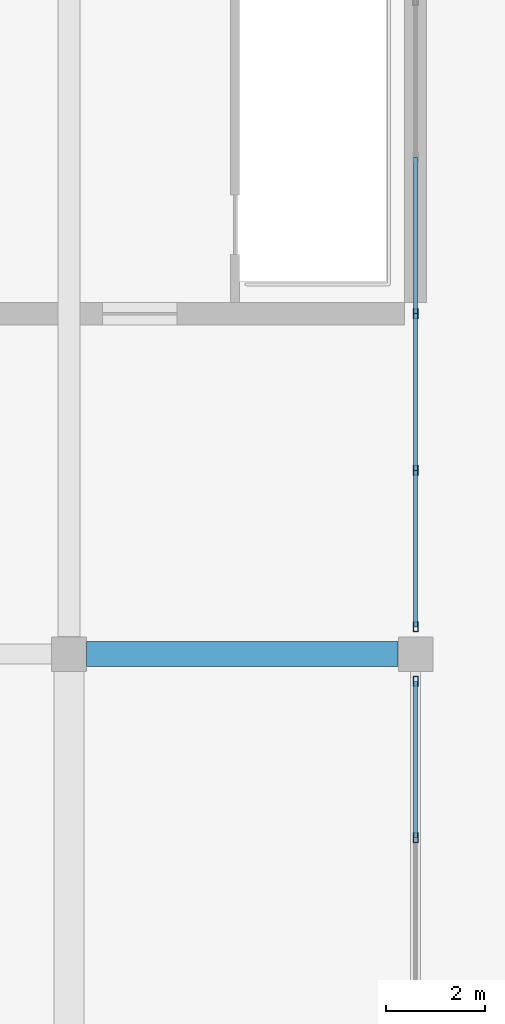
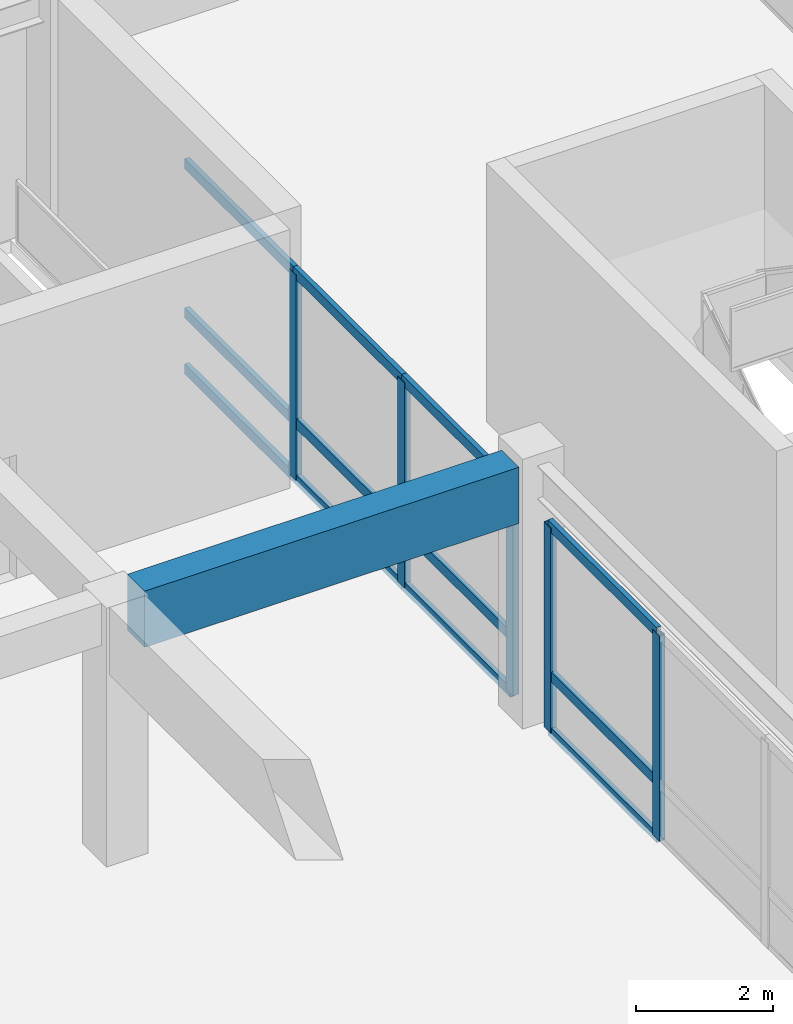
# One storey, part 41 of 94: 17 members, 1 beam, 2 elements without a shape of their own.
"""IFC4 building model written with IfcOpenShell, lengths in metres."""

from ifc_helpers import new_model, si_unit, direction, frame, origin, origin_2d, place, context, subcontext, project, spatial, rectangle, hollow_rectangle, extrude, material, material_profile, profile_set, type_object, element, aggregate, save


model = new_model("IFC4")

# Units and contexts
model_context = context("Model", 3, precision=1e-05, world=origin(), true_north=direction((0.0, 1.0)))
body_context = subcontext(model_context, "Body", "Model", "MODEL_VIEW")
ifc_project = project(units=[si_unit("LENGTHUNIT", "METRE"), si_unit("AREAUNIT", "SQUARE_METRE"), si_unit("VOLUMEUNIT", "CUBIC_METRE"), si_unit("PLANEANGLEUNIT", "RADIAN"), si_unit("MASSUNIT", "GRAM", prefix="KILO")], contexts=[model_context])

# Site, building, storey
site_placement = place(None, origin())
site = spatial("IfcSite", under=ifc_project, at=site_placement, CompositionType="ELEMENT")
building_placement = place(site_placement, origin())
building = spatial("IfcBuilding", under=site, at=building_placement, Name="Linyun Crest Stadium", CompositionType="ELEMENT")
storey_placement = place(building_placement, frame((0.0, 0.0, 16.199951171875)))
storey = spatial("IfcBuildingStorey", under=building, at=storey_placement, Name="L04", CompositionType="ELEMENT", Elevation=16.199951171875)

# Beam
ifc_material_1 = material(Name="Concrete C40", Category="concrete")
ifc_material_profile_1 = material_profile(ifc_material_1, rectangle(XDim=0.5, YDim=1.0, at=origin_2d()), Name="RCB 1000x500")
ifc_profile_set_1 = profile_set([ifc_material_profile_1], Name="Concrete C40")
beam_type = type_object("IfcBeamType", Name="B05", PredefinedType="BEAM", material=ifc_profile_set_1)
beam_placement = place(storey_placement, frame((77.35009765625, 29.625, 4.10009765625), z_axis=(1.0, 0.0, 0.0), x_axis=(0.0, 1.0, 0.0)))
element("IfcBeam", 1, at=beam_placement, inside=storey, type_object=beam_type, Name="Frame beam B05 L04 695", PredefinedType="BEAM", context=body_context, shape_type="SweptSolid", body=[
    extrude(rectangle(XDim=0.5, YDim=1.0, at=origin_2d()), origin(), (0.0, 0.0, 1.0), 6.2998046875),
])

# Curtain wall, members
ifc_material_2 = material(Name="Verdigris steel and low-E curtain wall assembly", Category="steel")
curtain_wall_type = type_object("IfcCurtainWallType", Name="MCW06", PredefinedType="NOTDEFINED", material=ifc_material_2)
curtain_wall_1_placement = place(storey_placement, origin())
curtain_wall_1 = element("IfcCurtainWall", 2, at=curtain_wall_1_placement, inside=storey, type_object=curtain_wall_type, Name="CWR-116", PredefinedType="NOTDEFINED")
ifc_material_3 = material(Name="Verdigris painted steel Q355C mullion", Category="steel")
ifc_material_profile_2 = material_profile(ifc_material_3, hollow_rectangle(XDim=0.10009765625, YDim=0.199951171875, WallThickness=0.008056640625, at=origin_2d()), Name="RHS 200x100x8")
ifc_profile_set_2 = profile_set([ifc_material_profile_2], Name="Verdigris painted steel Q355C mullion")
member_type_1 = type_object("IfcMemberType", Name="ML03", PredefinedType="MULLION", material=ifc_profile_set_2)
member_1_placement = place(storey_placement, frame((84.0, 25.912109375, 0.0), z_axis=(0.0, 0.0, 1.0), x_axis=(-1.0, 0.0, 0.0)))
member_1 = element("IfcMember", 3, at=member_1_placement, type_object=member_type_1, Name="CWR-116 mullion 4", PredefinedType="MULLION", context=body_context, shape_type="SweptSolid", body=[
    extrude(hollow_rectangle(XDim=0.10009765625, YDim=0.199951171875, WallThickness=0.008056640625, at=origin_2d()), origin(), (0.0, 0.0, 1.0), 3.650146484375),
])
member_2_placement = place(storey_placement, frame((84.0, 29.074951171875, 0.0), z_axis=(0.0, 0.0, 1.0), x_axis=(-1.0, 0.0, 0.0)))
member_2 = element("IfcMember", 4, at=member_2_placement, type_object=member_type_1, Name="CWR-116 mullion 5", PredefinedType="MULLION", context=body_context, shape_type="SweptSolid", body=[
    extrude(hollow_rectangle(XDim=0.10009765625, YDim=0.199951171875, WallThickness=0.008056640625, at=origin_2d()), origin(), (0.0, 0.0, 1.0), 3.650146484375),
])

curtain_wall_2_placement = place(storey_placement, origin())
curtain_wall_2 = element("IfcCurtainWall", 5, at=curtain_wall_2_placement, inside=storey, type_object=curtain_wall_type, Name="CWR-125", PredefinedType="NOTDEFINED")
member_3_placement = place(storey_placement, frame((84.0, 30.175048828125, 0.0), z_axis=(0.0, 0.0, 1.0), x_axis=(-1.0, 0.0, 0.0)))
member_3 = element("IfcMember", 6, at=member_3_placement, type_object=member_type_1, Name="CWR-125 mullion 1", PredefinedType="MULLION", context=body_context, shape_type="SweptSolid", body=[
    extrude(hollow_rectangle(XDim=0.10009765625, YDim=0.199951171875, WallThickness=0.008056640625, at=origin_2d()), origin(), (0.0, 0.0, 1.0), 3.650146484375),
])
member_4_placement = place(storey_placement, frame((84.0, 33.337890625, 0.0), z_axis=(0.0, 0.0, 1.0), x_axis=(-1.0, 0.0, 0.0)))
member_4 = element("IfcMember", 7, at=member_4_placement, type_object=member_type_1, Name="CWR-125 mullion 2", PredefinedType="MULLION", context=body_context, shape_type="SweptSolid", body=[
    extrude(hollow_rectangle(XDim=0.10009765625, YDim=0.199951171875, WallThickness=0.008056640625, at=origin_2d()), origin(), (0.0, 0.0, 1.0), 3.650146484375),
])
member_5_placement = place(storey_placement, frame((84.0, 36.5, 0.0), z_axis=(0.0, 0.0, 1.0), x_axis=(-1.0, 0.0, 0.0)))
member_5 = element("IfcMember", 8, at=member_5_placement, type_object=member_type_1, Name="CWR-125 mullion 3", PredefinedType="MULLION", context=body_context, shape_type="SweptSolid", body=[
    extrude(hollow_rectangle(XDim=0.10009765625, YDim=0.199951171875, WallThickness=0.008056640625, at=origin_2d()), origin(), (0.0, 0.0, 1.0), 3.650146484375),
])

# Member
ifc_material_4 = material(Name="Verdigris painted steel Q355B transom", Category="steel")
ifc_material_profile_3 = material_profile(ifc_material_4, hollow_rectangle(XDim=0.080078125, YDim=0.179931640625, WallThickness=0.006103515625, at=origin_2d()), Name="RHS 180x80x6")
ifc_profile_set_3 = profile_set([ifc_material_profile_3], Name="Verdigris painted steel Q355B transom")
member_type_2 = type_object("IfcMemberType", Name="TR02", PredefinedType="USERDEFINED", material=ifc_profile_set_3)
member_6_placement = place(storey_placement, frame((84.0, 25.912109375, 0.0), z_axis=(0.0, 1.0, 0.0), x_axis=(-1.0, 0.0, 0.0)))
member_6 = element("IfcMember", 9, at=member_6_placement, type_object=member_type_2, Name="CWR-116 transom 4.1", ObjectType="TRANSOM", PredefinedType="USERDEFINED", context=body_context, shape_type="SweptSolid", body=[
    extrude(hollow_rectangle(XDim=0.080078125, YDim=0.179931640625, WallThickness=0.006103515625, at=origin_2d()), origin(), (0.0, 0.0, 1.0), 3.162841796875),
])

member_7_placement = place(storey_placement, frame((84.0, 25.912109375, 1.0), z_axis=(0.0, 1.0, 0.0), x_axis=(-1.0, 0.0, 0.0)))
member_7 = element("IfcMember", 10, at=member_7_placement, type_object=member_type_2, Name="CWR-116 transom 4.2", ObjectType="TRANSOM", PredefinedType="USERDEFINED", context=body_context, shape_type="SweptSolid", body=[
    extrude(hollow_rectangle(XDim=0.080078125, YDim=0.179931640625, WallThickness=0.006103515625, at=origin_2d()), origin(), (0.0, 0.0, 1.0), 3.162841796875),
])

member_8_placement = place(storey_placement, frame((84.0, 25.912109375, 3.650146484375), z_axis=(0.0, 1.0, 0.0), x_axis=(-1.0, 0.0, 0.0)))
member_8 = element("IfcMember", 11, at=member_8_placement, type_object=member_type_2, Name="CWR-116 transom 4.3", ObjectType="TRANSOM", PredefinedType="USERDEFINED", context=body_context, shape_type="SweptSolid", body=[
    extrude(hollow_rectangle(XDim=0.080078125, YDim=0.179931640625, WallThickness=0.006103515625, at=origin_2d()), origin(), (0.0, 0.0, 1.0), 3.162841796875),
])

aggregate(curtain_wall_1, [member_1, member_2, member_6, member_7, member_8])

member_9_placement = place(storey_placement, frame((84.0, 30.175048828125, 0.0), z_axis=(0.0, 1.0, 0.0), x_axis=(-1.0, 0.0, 0.0)))
member_9 = element("IfcMember", 12, at=member_9_placement, type_object=member_type_2, Name="CWR-125 transom 1.1", ObjectType="TRANSOM", PredefinedType="USERDEFINED", context=body_context, shape_type="SweptSolid", body=[
    extrude(hollow_rectangle(XDim=0.080078125, YDim=0.179931640625, WallThickness=0.006103515625, at=origin_2d()), origin(), (0.0, 0.0, 1.0), 3.162841796875),
])

member_10_placement = place(storey_placement, frame((84.0, 30.175048828125, 1.0), z_axis=(0.0, 1.0, 0.0), x_axis=(-1.0, 0.0, 0.0)))
member_10 = element("IfcMember", 13, at=member_10_placement, type_object=member_type_2, Name="CWR-125 transom 1.2", ObjectType="TRANSOM", PredefinedType="USERDEFINED", context=body_context, shape_type="SweptSolid", body=[
    extrude(hollow_rectangle(XDim=0.080078125, YDim=0.179931640625, WallThickness=0.006103515625, at=origin_2d()), origin(), (0.0, 0.0, 1.0), 3.162841796875),
])

member_11_placement = place(storey_placement, frame((84.0, 30.175048828125, 3.650146484375), z_axis=(0.0, 1.0, 0.0), x_axis=(-1.0, 0.0, 0.0)))
member_11 = element("IfcMember", 14, at=member_11_placement, type_object=member_type_2, Name="CWR-125 transom 1.3", ObjectType="TRANSOM", PredefinedType="USERDEFINED", context=body_context, shape_type="SweptSolid", body=[
    extrude(hollow_rectangle(XDim=0.080078125, YDim=0.179931640625, WallThickness=0.006103515625, at=origin_2d()), origin(), (0.0, 0.0, 1.0), 3.162841796875),
])

member_12_placement = place(storey_placement, frame((84.0, 33.337890625, 0.0), z_axis=(0.0, 1.0, 0.0), x_axis=(-1.0, 0.0, 0.0)))
member_12 = element("IfcMember", 15, at=member_12_placement, type_object=member_type_2, Name="CWR-125 transom 2.1", ObjectType="TRANSOM", PredefinedType="USERDEFINED", context=body_context, shape_type="SweptSolid", body=[
    extrude(hollow_rectangle(XDim=0.080078125, YDim=0.179931640625, WallThickness=0.006103515625, at=origin_2d()), origin(), (0.0, 0.0, 1.0), 3.162109375),
])

member_13_placement = place(storey_placement, frame((84.0, 33.337890625, 1.0), z_axis=(0.0, 1.0, 0.0), x_axis=(-1.0, 0.0, 0.0)))
member_13 = element("IfcMember", 16, at=member_13_placement, type_object=member_type_2, Name="CWR-125 transom 2.2", ObjectType="TRANSOM", PredefinedType="USERDEFINED", context=body_context, shape_type="SweptSolid", body=[
    extrude(hollow_rectangle(XDim=0.080078125, YDim=0.179931640625, WallThickness=0.006103515625, at=origin_2d()), origin(), (0.0, 0.0, 1.0), 3.162109375),
])

member_14_placement = place(storey_placement, frame((84.0, 33.337890625, 3.650146484375), z_axis=(0.0, 1.0, 0.0), x_axis=(-1.0, 0.0, 0.0)))
member_14 = element("IfcMember", 17, at=member_14_placement, type_object=member_type_2, Name="CWR-125 transom 2.3", ObjectType="TRANSOM", PredefinedType="USERDEFINED", context=body_context, shape_type="SweptSolid", body=[
    extrude(hollow_rectangle(XDim=0.080078125, YDim=0.179931640625, WallThickness=0.006103515625, at=origin_2d()), origin(), (0.0, 0.0, 1.0), 3.162109375),
])

member_15_placement = place(storey_placement, frame((84.0, 36.5, 0.0), z_axis=(0.0, 1.0, 0.0), x_axis=(-1.0, 0.0, 0.0)))
member_15 = element("IfcMember", 18, at=member_15_placement, type_object=member_type_2, Name="CWR-125 transom 3.1", ObjectType="TRANSOM", PredefinedType="USERDEFINED", context=body_context, shape_type="SweptSolid", body=[
    extrude(hollow_rectangle(XDim=0.080078125, YDim=0.179931640625, WallThickness=0.006103515625, at=origin_2d()), origin(), (0.0, 0.0, 1.0), 3.162109375),
])

member_16_placement = place(storey_placement, frame((84.0, 36.5, 1.0), z_axis=(0.0, 1.0, 0.0), x_axis=(-1.0, 0.0, 0.0)))
member_16 = element("IfcMember", 19, at=member_16_placement, type_object=member_type_2, Name="CWR-125 transom 3.2", ObjectType="TRANSOM", PredefinedType="USERDEFINED", context=body_context, shape_type="SweptSolid", body=[
    extrude(hollow_rectangle(XDim=0.080078125, YDim=0.179931640625, WallThickness=0.006103515625, at=origin_2d()), origin(), (0.0, 0.0, 1.0), 3.162109375),
])

member_17_placement = place(storey_placement, frame((84.0, 36.5, 3.650146484375), z_axis=(0.0, 1.0, 0.0), x_axis=(-1.0, 0.0, 0.0)))
member_17 = element("IfcMember", 20, at=member_17_placement, type_object=member_type_2, Name="CWR-125 transom 3.3", ObjectType="TRANSOM", PredefinedType="USERDEFINED", context=body_context, shape_type="SweptSolid", body=[
    extrude(hollow_rectangle(XDim=0.080078125, YDim=0.179931640625, WallThickness=0.006103515625, at=origin_2d()), origin(), (0.0, 0.0, 1.0), 3.162109375),
])

aggregate(curtain_wall_2, [member_3, member_4, member_5, member_9, member_10, member_11, member_12, member_13, member_14, member_15, member_16, member_17])

save(model, "model.ifc")
